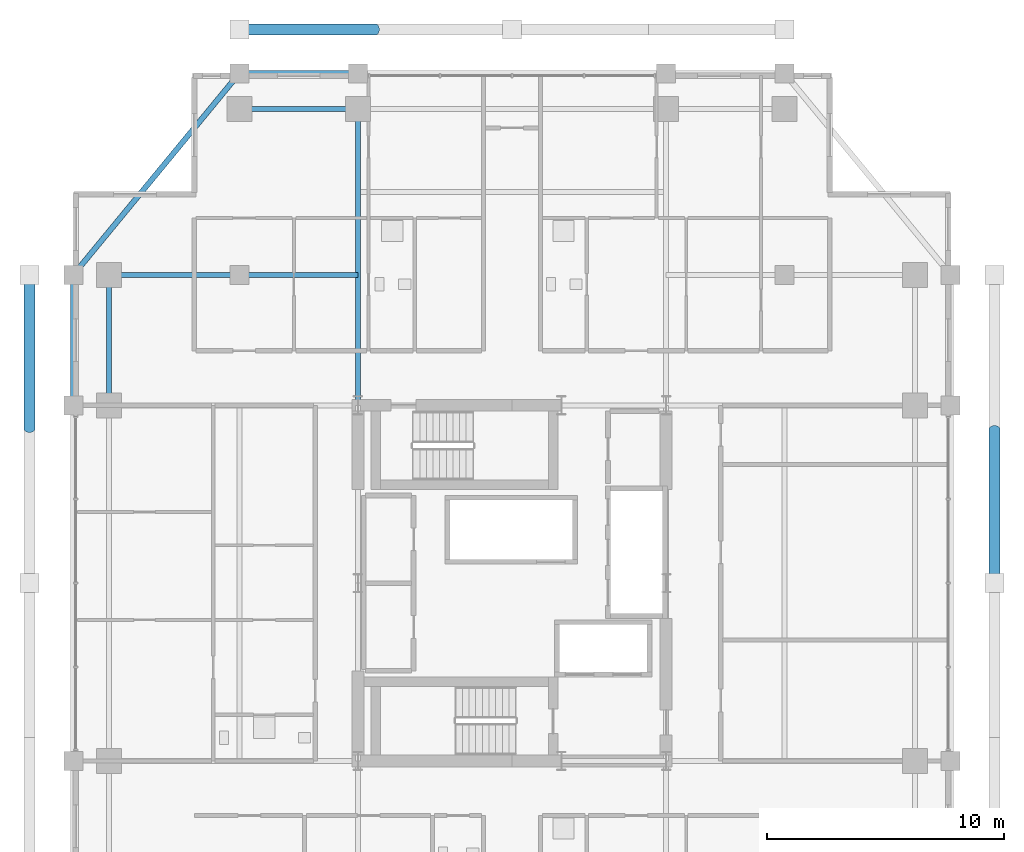
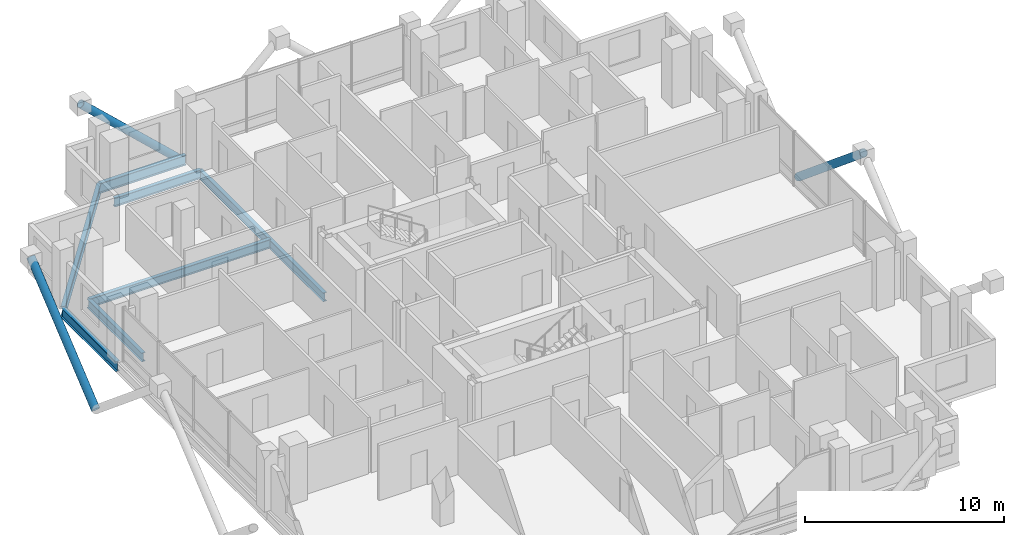
# One storey, part 12 of 24: 8 beams, 3 members.
"""IFC4 building model written with IfcOpenShell, lengths in metres."""

from ifc_helpers import new_model, si_unit, direction, frame, origin, origin_2d, place, context, subcontext, project, spatial, hollow_circle, i_section, extrude, material, material_profile, profile_set, type_object, element, save


model = new_model("IFC4")

# Units and contexts
model_context = context("Model", 3, precision=1e-05, world=origin(), true_north=direction((0.0, 1.0)))
body_context = subcontext(model_context, "Body", "Model", "MODEL_VIEW")
ifc_project = project(units=[si_unit("LENGTHUNIT", "METRE"), si_unit("AREAUNIT", "SQUARE_METRE"), si_unit("VOLUMEUNIT", "CUBIC_METRE"), si_unit("PLANEANGLEUNIT", "RADIAN"), si_unit("MASSUNIT", "GRAM", prefix="KILO")], contexts=[model_context])

# Site, building, storey
site_placement = place(None, origin())
site = spatial("IfcSite", under=ifc_project, at=site_placement, CompositionType="ELEMENT")
building_placement = place(site_placement, origin())
building = spatial("IfcBuilding", under=site, at=building_placement, Name="Barlavira Tower and Art Museum", CompositionType="ELEMENT")
storey_placement = place(building_placement, frame((0.0, 0.0, 183.60009765625)))
storey = spatial("IfcBuildingStorey", under=building, at=storey_placement, Name="L47", CompositionType="ELEMENT", Elevation=183.60009765625)

# Members
ifc_material = material(Name="Steel S355", Category="steel")
ifc_material_profile_1 = material_profile(ifc_material, hollow_circle(Radius=0.228515625, WallThickness=0.02001953125, at=origin_2d()), Name="CHS 457.0x20.0")
ifc_profile_set_1 = profile_set([ifc_material_profile_1], Name="Steel S355")
member_type = type_object("IfcMemberType", Name="Pale-Metal Exoskeleton Diagrid Tube CHS 457x20 Steel S355", PredefinedType="BRACE", material=ifc_profile_set_1)
member_placement = place(storey_placement, frame((-5.75, 23.35009765625, -1.920166015625), z_axis=(-0.728934650808, 0.0, 0.684583285548), x_axis=(0.0, -1.0, 0.0)))
element("IfcMember", 1, at=member_placement, inside=storey, type_object=member_type, Name="L47 Exoskeleton Diagrid Tube N", PredefinedType="BRACE", context=body_context, shape_type="SweptSolid", body=[
    extrude(hollow_circle(Radius=0.228515625, WallThickness=0.02001953125, at=origin_2d()), origin(), (0.0, 0.0, 1.0), 7.88818359375),
])
for number, where, z_axis, x_axis, name in (
    (2, (-20.35009765625, 6.5, -1.920166015625), (0.0, 0.76918185268, 0.639029950399), (-1.0, 0.0, 0.0), "L47 Exoskeleton Diagrid Tube W"),
    (3, (20.35009765625, 6.5, -1.920166015625), (0.0, -0.76918185268, 0.639029950399), (1.0, 0.0, 0.0), "L47 Exoskeleton Diagrid Tube E"),
):
    element("IfcMember", number, at=place(storey_placement, frame(where, z_axis=z_axis, x_axis=x_axis)), inside=storey, type_object=member_type, Name=name, PredefinedType="BRACE", context=body_context, shape_type="SweptSolid", body=[
        extrude(hollow_circle(Radius=0.228515625, WallThickness=0.02001953125, at=origin_2d()), origin(), (0.0, 0.0, 1.0), 8.450439453125),
    ])

# Beams
ifc_material_profile_2 = material_profile(ifc_material, i_section(OverallWidth=0.22998046875, OverallDepth=0.616943359375, WebThickness=0.01318359375, FlangeThickness=0.022216796875, at=origin_2d()), Name="W610x140.0")
ifc_profile_set_2 = profile_set([ifc_material_profile_2], Name="Steel S355")
beam_type_1 = type_object("IfcBeamType", Name="Upper Shaft Spandrel Edge Beam W610x140 Steel S355", PredefinedType="SPANDREL", material=ifc_profile_set_2)
beam_1_placement = place(storey_placement, frame((-11.5, 21.5, -0.528564453125), z_axis=(1.0, 0.0, 0.0), x_axis=(0.0, 1.0, 0.0)))
element("IfcBeam", 4, at=beam_1_placement, inside=storey, type_object=beam_type_1, Name="L47 Spandrel 11", PredefinedType="SPANDREL", context=body_context, shape_type="SweptSolid", body=[
    extrude(i_section(OverallWidth=0.22998046875, OverallDepth=0.616943359375, WebThickness=0.01318359375, FlangeThickness=0.022216796875, at=origin_2d()), origin(), (0.0, 0.0, 1.0), 5.0),
])
beam_2_placement = place(storey_placement, frame((-11.5, 21.5, -0.528564453125), z_axis=(-0.635707252861, -0.771930235617, 0.0), x_axis=(0.771930235617, -0.635707252861, 0.0)))
element("IfcBeam", 5, at=beam_2_placement, inside=storey, type_object=beam_type_1, Name="L47 Spandrel 12", PredefinedType="SPANDREL", context=body_context, shape_type="SweptSolid", body=[
    extrude(i_section(OverallWidth=0.22998046875, OverallDepth=0.616943359375, WebThickness=0.01318359375, FlangeThickness=0.022216796875, at=origin_2d()), origin(), (0.0, 0.0, 1.0), 11.011474609375),
])
beam_3_placement = place(storey_placement, frame((-18.5, 7.5, -0.528564453125), z_axis=(0.0, 1.0, 0.0), x_axis=(-1.0, 0.0, 0.0)))
element("IfcBeam", 6, at=beam_3_placement, inside=storey, type_object=beam_type_1, Name="L47 Spandrel 13", PredefinedType="SPANDREL", context=body_context, shape_type="SweptSolid", body=[
    extrude(i_section(OverallWidth=0.22998046875, OverallDepth=0.616943359375, WebThickness=0.01318359375, FlangeThickness=0.022216796875, at=origin_2d()), origin(), (0.0, 0.0, 1.0), 5.5),
])
ifc_material_profile_3 = material_profile(ifc_material, i_section(OverallWidth=0.2109375, OverallDepth=0.5390625, WebThickness=0.01171875, FlangeThickness=0.018798828125, at=origin_2d()), Name="W530x109.0")
ifc_profile_set_3 = profile_set([ifc_material_profile_3], Name="Steel S355")
beam_type_2 = type_object("IfcBeamType", Name="Zone 3-4 Primary Floor Girder W530x109 Steel S355", PredefinedType="BEAM", material=ifc_profile_set_3)
beam_4_placement = place(storey_placement, frame((-11.5, 20.0, -0.489501953125), z_axis=(1.0, 0.0, 0.0), x_axis=(0.0, 1.0, 0.0)))
element("IfcBeam", 7, at=beam_4_placement, inside=storey, type_object=beam_type_2, Name="L47 Girder M-N1", PredefinedType="BEAM", context=body_context, shape_type="SweptSolid", body=[
    extrude(i_section(OverallWidth=0.2109375, OverallDepth=0.5390625, WebThickness=0.01171875, FlangeThickness=0.018798828125, at=origin_2d()), origin(), (0.0, 0.0, 1.0), 5.0),
])
beam_5_placement = place(storey_placement, frame((-17.0, 7.5, -0.489501953125), z_axis=(0.0, 1.0, 0.0), x_axis=(-1.0, 0.0, 0.0)))
element("IfcBeam", 8, at=beam_5_placement, inside=storey, type_object=beam_type_2, Name="L47 Girder M-W3", PredefinedType="BEAM", context=body_context, shape_type="SweptSolid", body=[
    extrude(i_section(OverallWidth=0.2109375, OverallDepth=0.5390625, WebThickness=0.01171875, FlangeThickness=0.018798828125, at=origin_2d()), origin(), (0.0, 0.0, 1.0), 5.5),
])
beam_6_placement = place(storey_placement, frame((-6.5, 7.5, -0.489501953125), z_axis=(0.0, 1.0, 0.0), x_axis=(-1.0, 0.0, 0.0)))
element("IfcBeam", 9, at=beam_6_placement, inside=storey, type_object=beam_type_2, Name="L47 Girder R-N1", PredefinedType="BEAM", context=body_context, shape_type="SweptSolid", body=[
    extrude(i_section(OverallWidth=0.2109375, OverallDepth=0.5390625, WebThickness=0.01171875, FlangeThickness=0.018798828125, at=origin_2d()), origin(), (0.0, 0.0, 1.0), 12.5),
])
beam_7_placement = place(storey_placement, frame((-17.0, 13.0, -0.489501953125), z_axis=(1.0, 0.0, 0.0), x_axis=(0.0, 1.0, 0.0)))
element("IfcBeam", 10, at=beam_7_placement, inside=storey, type_object=beam_type_2, Name="L47 Girder I-N1", PredefinedType="BEAM", context=body_context, shape_type="SweptSolid", body=[
    extrude(i_section(OverallWidth=0.2109375, OverallDepth=0.5390625, WebThickness=0.01171875, FlangeThickness=0.018798828125, at=origin_2d()), origin(), (0.0, 0.0, 1.0), 5.5),
])
beam_8_placement = place(storey_placement, frame((-11.5, 13.0, -0.489501953125), z_axis=(1.0, 0.0, 0.0), x_axis=(0.0, 1.0, 0.0)))
element("IfcBeam", 11, at=beam_8_placement, inside=storey, type_object=beam_type_2, Name="L47 Girder I-N2", PredefinedType="BEAM", context=body_context, shape_type="SweptSolid", body=[
    extrude(i_section(OverallWidth=0.2109375, OverallDepth=0.5390625, WebThickness=0.01171875, FlangeThickness=0.018798828125, at=origin_2d()), origin(), (0.0, 0.0, 1.0), 5.0),
])

save(model, "model.ifc")
